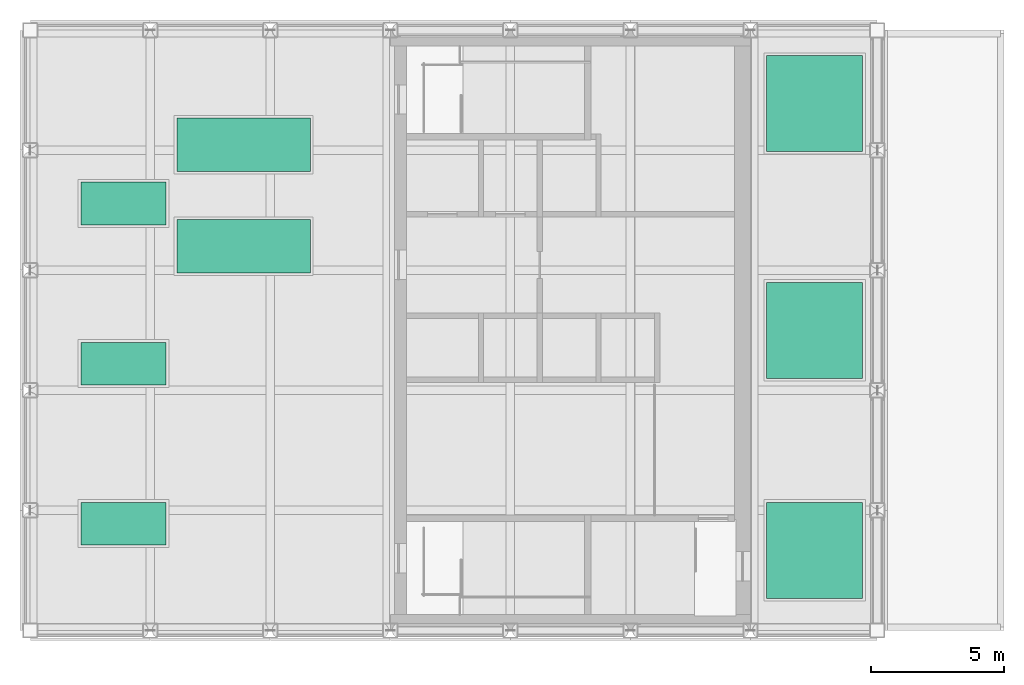
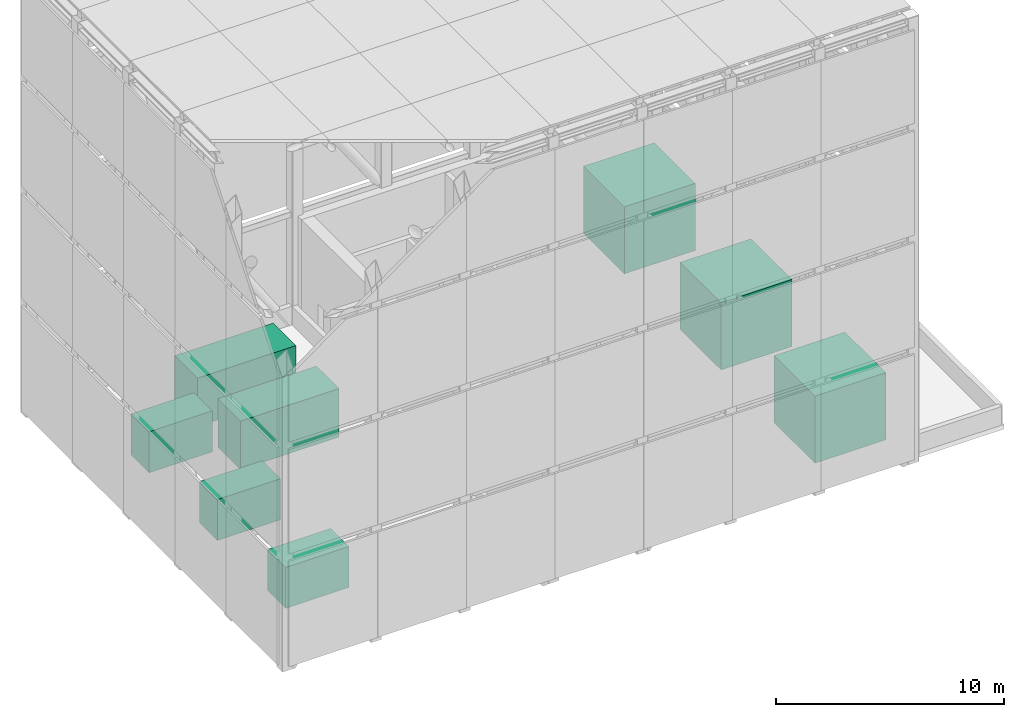
# One storey, part 10 of 11: 3 chillers, 3 cooling towers, 2 unitary equipment elements.
"""IFC4 building model written with IfcOpenShell, lengths in metres."""

import ifcopenshell
import ifcopenshell.guid

model = None  # the IFC model being written
_history = None  # IfcOwnerHistory: only IFC2X3 demands one
_inside = {}  # id of a spatial element -> (the spatial element, [elements in it])
_under = {}  # id of a project, library or spatial element -> (it, [spatial elements below it])
_declared = {}  # id of a project -> (the project, [libraries it declares])
_typed = {}  # id of a type object -> (the type object, [elements of that type])
_made_of = {}  # id of a material, layer set ... -> (it, [elements and type objects made of it])


def new_model(schema):
    """Start an empty IFC model of exactly this schema.

    Asked for "IFC4X3", IfcOpenShell would pick the latest addendum, in which some entities
    have other attributes; the version numbers below select the first issue.
    IFC2X3 requires an IfcOwnerHistory on every rooted entity: one is made here for all.
    """
    global model, _history
    if schema == "IFC4X3":
        model = ifcopenshell.file(schema_version=(4, 3, 0, 0))
    else:
        model = ifcopenshell.file(schema=schema)
    _inside.clear()
    _under.clear()
    _declared.clear()
    _typed.clear()
    _made_of.clear()
    _history = None
    if model.schema == "IFC2X3":
        org = make("IfcOrganization", Name="unknown")
        user = make(
            "IfcPersonAndOrganization",
            ThePerson=make("IfcPerson", FamilyName="unknown"),
            TheOrganization=org,
        )
        app = make(
            "IfcApplication",
            ApplicationDeveloper=org,
            Version="unknown",
            ApplicationFullName="unknown",
            ApplicationIdentifier="unknown",
        )
        _history = make(
            "IfcOwnerHistory",
            OwningUser=user,
            OwningApplication=app,
            ChangeAction="ADDED",
            CreationDate=0,
        )
    return model


def make(cls, **values):
    """One entity of the class cls with the attributes given. An attribute that is None is left unset."""
    return model.create_entity(
        cls, **{name: value for name, value in values.items() if value is not None}
    )


def rooted(cls, **values):
    """An entity with a GlobalId (a new one), such as an element, a storey or a relation."""
    return make(cls, GlobalId=ifcopenshell.guid.new(), OwnerHistory=_history, **values)


def si_unit(unit_type, name, prefix=None):
    """IfcSIUnit, for example si_unit("LENGTHUNIT", "METRE", prefix="MILLI")."""
    return make("IfcSIUnit", UnitType=unit_type, Prefix=prefix, Name=name)


def assignment(units):
    """IfcUnitAssignment: the units of a project."""
    return None if units is None else make("IfcUnitAssignment", Units=units)


def point(xyz):
    """IfcCartesianPoint."""
    return None if xyz is None else make("IfcCartesianPoint", Coordinates=xyz)


def direction(xyz):
    """IfcDirection."""
    return None if xyz is None else make("IfcDirection", DirectionRatios=xyz)


def frame(location, z_axis=None, x_axis=None):
    """IfcAxis2Placement3D, a coordinate frame: its origin and axes. An axis left out is left unset."""
    return make(
        "IfcAxis2Placement3D",
        Location=point(location),
        Axis=direction(z_axis),
        RefDirection=direction(x_axis),
    )


def frame_2d(location, x_axis=None):
    """IfcAxis2Placement2D, a coordinate frame in the plane: its origin and x axis."""
    return make(
        "IfcAxis2Placement2D", Location=point(location), RefDirection=direction(x_axis)
    )


def origin():
    """The frame at (0, 0, 0) with its axes left unset."""
    return frame((0.0, 0.0, 0.0))


def origin_2d():
    """The frame at (0, 0) in the plane with its x axis left unset."""
    return frame_2d((0.0, 0.0))


def place(relative_to, where):
    """IfcLocalPlacement: puts the frame where relative to a parent placement (None: the world)."""
    return make(
        "IfcLocalPlacement", PlacementRelTo=relative_to, RelativePlacement=where
    )


def context(
    kind, dimensions, precision=None, world=None, true_north=None, identifier=None
):
    """IfcGeometricRepresentationContext, for example the 3D "Model" context."""
    return make(
        "IfcGeometricRepresentationContext",
        ContextIdentifier=identifier,
        ContextType=kind,
        CoordinateSpaceDimension=dimensions,
        Precision=precision,
        WorldCoordinateSystem=world,
        TrueNorth=true_north,
    )


def subcontext(parent, identifier, kind, view, scale=None):
    """IfcGeometricRepresentationSubContext, for example "Body" below "Model"."""
    return make(
        "IfcGeometricRepresentationSubContext",
        ContextIdentifier=identifier,
        ContextType=kind,
        ParentContext=parent,
        TargetScale=scale,
        TargetView=view,
    )


def project(units=None, contexts=None):
    """IfcProject with its units and contexts."""
    return rooted(
        "IfcProject",
        Name="project",
        RepresentationContexts=contexts,
        UnitsInContext=assignment(units),
    )


def spatial(cls, under=None, at=None, **own):
    """A site, building, storey or space (cls), placed at a placement, below another one or the project."""
    s = rooted(cls, ObjectPlacement=at, **own)
    if under is not None:
        _under.setdefault(under.id(), (under, []))[1].append(s)
    return s


def profile(cls, at=None, kind="AREA", **sizes):
    """A parametric profile (cls). Its sizes go by their IFC names, for example OverallWidth=200.0."""
    return make(cls, ProfileType=kind, Position=at, **sizes)


def rectangle(**sizes):
    """IfcRectangleProfileDef."""
    return profile("IfcRectangleProfileDef", **sizes)


def extrude(swept, where, along, depth):
    """IfcExtrudedAreaSolid: the profile swept, set in the frame where, extruded along a direction by depth."""
    return make(
        "IfcExtrudedAreaSolid",
        SweptArea=swept,
        Position=where,
        ExtrudedDirection=direction(along),
        Depth=depth,
    )


def shape(context_of_items, identifier, shape_type, items):
    """IfcShapeRepresentation: the items that make up one representation, for example the "Body"."""
    return make(
        "IfcShapeRepresentation",
        ContextOfItems=context_of_items,
        RepresentationIdentifier=identifier,
        RepresentationType=shape_type,
        Items=items,
    )


def material(Name=None, Category=None):
    """IfcMaterial."""
    return make("IfcMaterial", Name=Name, Category=Category)


def made_of(thing, what):
    """Note that an element or type object is made of a material, layer set ...; save() writes the relation."""
    if what is not None:
        _made_of.setdefault(what.id(), (what, []))[1].append(thing)
    return thing


def type_object(cls, material=None, **own):
    """A type object (cls), such as IfcWallType, which elements share."""
    return made_of(rooted(cls, **own), material)


def element(
    cls,
    number,
    at=None,
    inside=None,
    cuts=None,
    type_object=None,
    material=None,
    context=None,
    identifier="Body",
    shape_type=None,
    held_by="IfcProductDefinitionShape",
    body=None,
    shapes=None,
    **own,
):
    """One element of the class cls, such as IfcWall. Its Tag is "e" and its number.

    at: its placement. inside: the storey or other place that contains it. cuts: it is an
    opening in that element (IfcRelVoidsElement). A single representation is given by context,
    identifier, shape_type and body (its items); several are given by shapes. held_by: the class
    of the entity that holds the representations. save() writes the other relations.
    """
    e = rooted(cls, Tag="e%d" % number, ObjectPlacement=at, **own)
    if body is not None:
        shapes = [shape(context, identifier, shape_type, body)]
    if shapes is not None:
        e.Representation = make(held_by, Representations=shapes)
    if inside is not None:
        _inside.setdefault(inside.id(), (inside, []))[1].append(e)
    if cuts is not None:
        rooted(
            "IfcRelVoidsElement", RelatingBuildingElement=cuts, RelatedOpeningElement=e
        )
    if type_object is not None:
        _typed.setdefault(type_object.id(), (type_object, []))[1].append(e)
    return made_of(e, material)


def aggregate(whole, parts):
    """IfcRelAggregates: a whole, such as a stair, and the parts it consists of."""
    return rooted("IfcRelAggregates", RelatingObject=whole, RelatedObjects=parts)


def save(model, path):
    """Write the relations noted so far, then the file.

    IfcRelAggregates (storeys below a building ...), IfcRelContainedInSpatialStructure (elements
    in a storey), IfcRelDefinesByType, IfcRelAssociatesMaterial and IfcRelDeclares: one each for
    every whole, place, type object, material and project.
    """
    for whole, parts in _under.values():
        aggregate(whole, parts)
    for where, things in _inside.values():
        rooted(
            "IfcRelContainedInSpatialStructure",
            RelatedElements=things,
            RelatingStructure=where,
        )
    for kind, things in _typed.values():
        rooted("IfcRelDefinesByType", RelatedObjects=things, RelatingType=kind)
    for what, things in _made_of.values():
        rooted("IfcRelAssociatesMaterial", RelatedObjects=things, RelatingMaterial=what)
    for by, libraries in _declared.values():
        rooted("IfcRelDeclares", RelatingContext=by, RelatedDefinitions=libraries)
    model.write(path)


model = new_model("IFC4")

# Units and contexts
model_context = context("Model", 3, precision=1e-05, world=origin(), true_north=direction((0.0, 1.0)))
body_context = subcontext(model_context, "Body", "Model", "MODEL_VIEW")
ifc_project = project(units=[si_unit("LENGTHUNIT", "METRE"), si_unit("AREAUNIT", "SQUARE_METRE"), si_unit("VOLUMEUNIT", "CUBIC_METRE"), si_unit("PLANEANGLEUNIT", "RADIAN"), si_unit("MASSUNIT", "GRAM", prefix="KILO")], contexts=[model_context])

# Site, building, storey
site_placement = place(None, origin())
site = spatial("IfcSite", under=ifc_project, at=site_placement, CompositionType="ELEMENT")
building_placement = place(site_placement, origin())
building = spatial("IfcBuilding", under=site, at=building_placement, Name="Sennacour Bend Tower", CompositionType="ELEMENT")
storey_placement = place(building_placement, frame((0.0, 0.0, 355.5)))
storey = spatial("IfcBuildingStorey", under=building, at=storey_placement, Name="RF", CompositionType="ELEMENT", Elevation=355.5)

# Unitary equipment
ifc_material = material(Name="Steel S355", Category="steel")
unitary_equipment_type = type_object("IfcUnitaryEquipmentType", Name="PL-AHU", PredefinedType="AIRHANDLER", material=ifc_material)
for number, where, z_axis, x_axis, name in (
    (1, (48.5, 18.199951171875, 0.300048828125), (0.0, 0.0, 1.0), (1.0, 0.0, 0.0), "Air handling unit"),
    (2, (48.5, 14.39990234375, 0.300048828125), (0.0, 0.0, 1.0), (1.0, 0.0, 0.0), "Air handling unit"),
):
    element("IfcUnitaryEquipment", number, at=place(storey_placement, frame(where, z_axis=z_axis, x_axis=x_axis)), inside=storey, type_object=unitary_equipment_type, Name=name, PredefinedType="AIRHANDLER", context=body_context, shape_type="SweptSolid", body=[
        extrude(rectangle(XDim=5.0, YDim=2.0, at=origin_2d()), origin(), (0.0, 0.0, 1.0), 2.60009765625),
    ])

# Chillers
chiller_type = type_object("IfcChillerType", Name="PL-CHILLER", PredefinedType="AIRCOOLED", material=ifc_material)
for number, where, z_axis, x_axis, name in (
    (3, (44.0, 4.0, 0.2998046875), (0.0, 0.0, 1.0), (1.0, 0.0, 0.0), "Chiller"),
    (4, (44.0, 10.0, 0.2998046875), (0.0, 0.0, 1.0), (1.0, 0.0, 0.0), "Chiller"),
    (5, (44.0, 16.0, 0.2998046875), (0.0, 0.0, 1.0), (1.0, 0.0, 0.0), "Chiller"),
):
    element("IfcChiller", number, at=place(storey_placement, frame(where, z_axis=z_axis, x_axis=x_axis)), inside=storey, type_object=chiller_type, Name=name, PredefinedType="AIRCOOLED", context=body_context, shape_type="SweptSolid", body=[
        extrude(rectangle(XDim=3.199951171875, YDim=1.60009765625, at=origin_2d()), origin(), (0.0, 0.0, 1.0), 2.199951171875),
    ])

# Cooling towers
cooling_tower_type = type_object("IfcCoolingTowerType", Name="PL-COOLING-TOWER", PredefinedType="MECHANICALFORCEDDRAFT", material=ifc_material)
for number, where, z_axis, x_axis, name in (
    (6, (69.89990234375, 3.0, 0.300048828125), (0.0, 0.0, 1.0), (1.0, 0.0, 0.0), "Cooling tower"),
    (7, (69.89990234375, 11.25, 0.300048828125), (0.0, 0.0, 1.0), (1.0, 0.0, 0.0), "Cooling tower"),
    (8, (69.89990234375, 19.75, 0.300048828125), (0.0, 0.0, 1.0), (1.0, 0.0, 0.0), "Cooling tower"),
):
    element("IfcCoolingTower", number, at=place(storey_placement, frame(where, z_axis=z_axis, x_axis=x_axis)), inside=storey, type_object=cooling_tower_type, Name=name, PredefinedType="MECHANICALFORCEDDRAFT", context=body_context, shape_type="SweptSolid", body=[
        extrude(rectangle(XDim=3.60009765625, YDim=3.60009765625, at=origin_2d()), origin(), (0.0, 0.0, 1.0), 3.60009765625),
    ])

save(model, "model.ifc")
